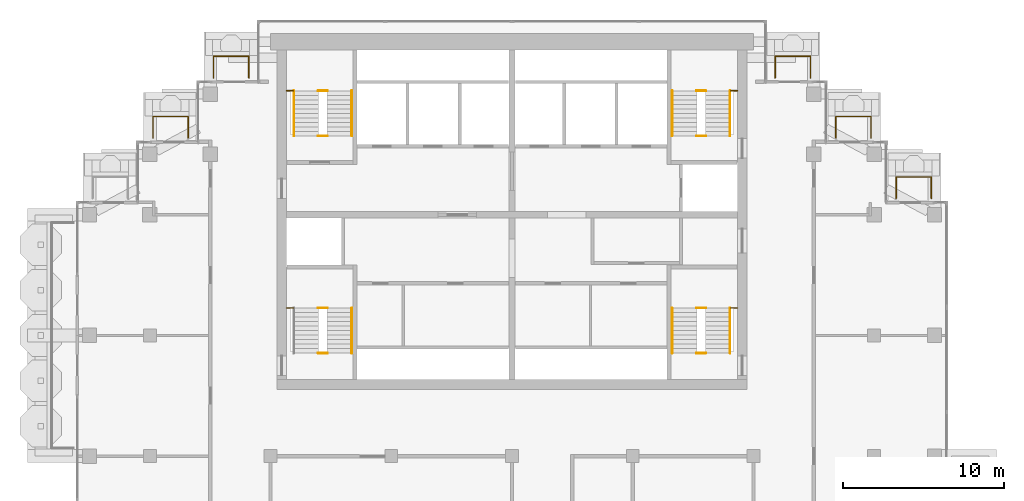
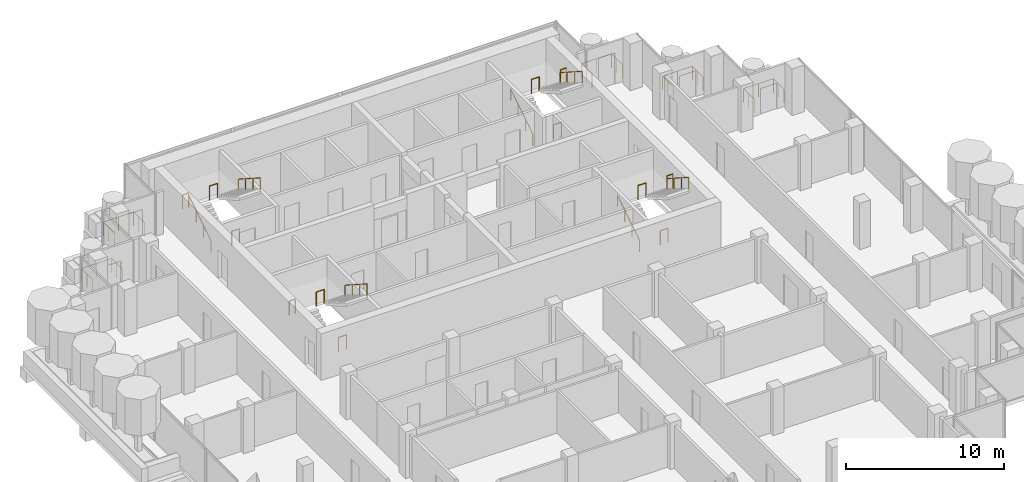
# One storey, part 17 of 18: 24 railings.
"""IFC4 building model written with IfcOpenShell, lengths in metres."""

from ifc_helpers import new_model, si_unit, direction, frame, origin, origin_2d, place, context, subcontext, project, spatial, circle, extrude, material, type_object, element, save


model = new_model("IFC4")

# Units and contexts
model_context = context("Model", 3, precision=1e-05, world=origin(), true_north=direction((0.0, 1.0)))
body_context = subcontext(model_context, "Body", "Model", "MODEL_VIEW")
ifc_project = project(units=[si_unit("LENGTHUNIT", "METRE"), si_unit("AREAUNIT", "SQUARE_METRE"), si_unit("VOLUMEUNIT", "CUBIC_METRE"), si_unit("PLANEANGLEUNIT", "RADIAN"), si_unit("MASSUNIT", "GRAM", prefix="KILO")], contexts=[model_context])

# Site, building, storey
site_placement = place(None, origin())
site = spatial("IfcSite", under=ifc_project, at=site_placement, CompositionType="ELEMENT")
building_placement = place(site_placement, origin())
building = spatial("IfcBuilding", under=site, at=building_placement, Name="Pilkhan Gate Tower", CompositionType="ELEMENT")
storey_placement = place(building_placement, frame((0.0, 0.0, 235.5)))
storey = spatial("IfcBuildingStorey", under=building, at=storey_placement, Name="L61", CompositionType="ELEMENT", Elevation=235.5)

# Railings
ifc_material_1 = material(Name="Pale anodised aluminium posts, laminated glass infill", Category="aluminium")
railing_type_1 = type_object("IfcRailingType", Name="Balcony guard G1", PredefinedType="BALUSTRADE", material=ifc_material_1)
for number, where, name in (
    (1, (56.449951171875, 91.0, 0.0), "Balcony guard L61 N"),
    (2, (91.35009765625, 91.0, 0.0), "Balcony guard L61 N"),
):
    element("IfcRailing", number, at=place(storey_placement, frame(where)), inside=storey, type_object=railing_type_1, Name=name, PredefinedType="BALUSTRADE", context=body_context, shape_type="SweptSolid", body=[
        extrude(circle(Radius=0.02392578125, at=origin_2d()), frame((0.0, 0.0, 1.076171875), z_axis=(0.0, 1.0, 0.0), x_axis=(-1.0, 0.0, 0.0)), (0.0, 0.0, 1.0), 1.35009765625),
        extrude(circle(Radius=0.02392578125, at=origin_2d()), frame((0.0, 1.35009765625, 1.076171875), z_axis=(1.0, 0.0, 0.0), x_axis=(0.0, 1.0, 0.0)), (0.0, 0.0, 1.0), 2.199951171875),
        extrude(circle(Radius=0.02392578125, at=origin_2d()), frame((2.199951171875, 1.35009765625, 1.076171875), z_axis=(0.0, -1.0, 0.0), x_axis=(1.0, 0.0, 0.0)), (0.0, 0.0, 1.0), 1.35009765625),
        extrude(circle(Radius=0.02099609375, at=origin_2d()), origin(), (0.0, 0.0, 1.0), 1.052001953125),
        extrude(circle(Radius=0.02099609375, at=origin_2d()), frame((0.0, 0.675048828125, 0.0)), (0.0, 0.0, 1.0), 1.052001953125),
        extrude(circle(Radius=0.02099609375, at=origin_2d()), frame((0.0, 1.35009765625, 0.0)), (0.0, 0.0, 1.0), 1.052001953125),
        extrude(circle(Radius=0.02099609375, at=origin_2d()), frame((1.10009765625, 1.35009765625, 0.0)), (0.0, 0.0, 1.0), 1.052001953125),
        extrude(circle(Radius=0.02099609375, at=origin_2d()), frame((2.199951171875, 1.35009765625, 0.0)), (0.0, 0.0, 1.0), 1.052001953125),
        extrude(circle(Radius=0.02099609375, at=origin_2d()), frame((2.199951171875, 0.675048828125, 0.0)), (0.0, 0.0, 1.0), 1.052001953125),
        extrude(circle(Radius=0.02099609375, at=origin_2d()), frame((2.199951171875, 0.0, 0.0)), (0.0, 0.0, 1.0), 1.052001953125),
    ])
for number, where, name in (
    (3, (52.699951171875, 87.27001953125, 0.0), "Balcony guard L61 N"),
    (4, (95.1201171875, 87.27001953125, 0.0), "Balcony guard L61 N"),
    (5, (98.8701171875, 83.52001953125, 0.0), "Balcony guard L61 N"),
):
    element("IfcRailing", number, at=place(storey_placement, frame(where)), inside=storey, type_object=railing_type_1, Name=name, PredefinedType="BALUSTRADE", context=body_context, shape_type="SweptSolid", body=[
        extrude(circle(Radius=0.02392578125, at=origin_2d()), frame((0.0, 0.0, 1.076171875), z_axis=(0.0, 1.0, 0.0), x_axis=(-1.0, 0.0, 0.0)), (0.0, 0.0, 1.0), 1.330078125),
        extrude(circle(Radius=0.02392578125, at=origin_2d()), frame((0.0, 1.330078125, 1.076171875), z_axis=(1.0, 0.0, 0.0), x_axis=(0.0, 1.0, 0.0)), (0.0, 0.0, 1.0), 2.179931640625),
        extrude(circle(Radius=0.02392578125, at=origin_2d()), frame((2.179931640625, 1.330078125, 1.076171875), z_axis=(0.0, -1.0, 0.0), x_axis=(1.0, 0.0, 0.0)), (0.0, 0.0, 1.0), 1.330078125),
        extrude(circle(Radius=0.02099609375, at=origin_2d()), origin(), (0.0, 0.0, 1.0), 1.052001953125),
        extrude(circle(Radius=0.02099609375, at=origin_2d()), frame((0.0, 0.6650390625, 0.0)), (0.0, 0.0, 1.0), 1.052001953125),
        extrude(circle(Radius=0.02099609375, at=origin_2d()), frame((0.0, 1.330078125, 0.0)), (0.0, 0.0, 1.0), 1.052001953125),
        extrude(circle(Radius=0.02099609375, at=origin_2d()), frame((1.08984375, 1.330078125, 0.0)), (0.0, 0.0, 1.0), 1.052001953125),
        extrude(circle(Radius=0.02099609375, at=origin_2d()), frame((2.179931640625, 1.330078125, 0.0)), (0.0, 0.0, 1.0), 1.052001953125),
        extrude(circle(Radius=0.02099609375, at=origin_2d()), frame((2.179931640625, 0.6650390625, 0.0)), (0.0, 0.0, 1.0), 1.052001953125),
        extrude(circle(Radius=0.02099609375, at=origin_2d()), frame((2.179931640625, 0.0, 0.0)), (0.0, 0.0, 1.0), 1.052001953125),
    ])
ifc_material_2 = material(Name="Black powder-coated steel tube", Category="steel")
railing_type_2 = type_object("IfcRailingType", Name="Stair handrail HR1", PredefinedType="HANDRAIL", material=ifc_material_2)
railing_1_placement = place(storey_placement, frame((84.949951171875, 73.89990234375, 0.0)))
element("IfcRailing", 6, at=railing_1_placement, inside=storey, type_object=railing_type_2, Name="Stair ST1 handrail L61", PredefinedType="HANDRAIL", context=body_context, shape_type="SweptSolid", body=[
    extrude(circle(Radius=0.02392578125, at=origin_2d()), frame((0.0, 0.0, 0.8759765625), z_axis=(0.0, 0.841176092368, 0.540761298198), x_axis=(-1.0, 0.0, 0.0)), (0.0, 0.0, 1.0), 3.32861328125),
    extrude(circle(Radius=0.02099609375, at=origin_2d()), origin(), (0.0, 0.0, 1.0), 0.851806640625),
    extrude(circle(Radius=0.02099609375, at=origin_2d()), frame((0.0, 0.933349609375, 0.60009765625)), (0.0, 0.0, 1.0), 0.851806640625),
    extrude(circle(Radius=0.02099609375, at=origin_2d()), frame((0.0, 1.86669921875, 1.199951171875)), (0.0, 0.0, 1.0), 0.851806640625),
    extrude(circle(Radius=0.02099609375, at=origin_2d()), frame((0.0, 2.800048828125, 1.800048828125)), (0.0, 0.0, 1.0), 0.851806640625),
])
for number, where, name in (
    (7, (88.550048828125, 76.699951171875, 1.800048828125), "Stair ST1 handrail L61"),
    (8, (65.050048828125, 76.699951171875, 1.800048828125), "Stair ST2 handrail L61"),
):
    element("IfcRailing", number, at=place(storey_placement, frame(where)), inside=storey, type_object=railing_type_2, Name=name, PredefinedType="HANDRAIL", context=body_context, shape_type="SweptSolid", body=[
        extrude(circle(Radius=0.02392578125, at=origin_2d()), frame((0.0, 0.0, 0.8759765625), z_axis=(0.0, -0.841176092368, 0.540761298198), x_axis=(1.0, 0.0, 0.0)), (0.0, 0.0, 1.0), 3.32861328125),
        extrude(circle(Radius=0.02099609375, at=origin_2d()), origin(), (0.0, 0.0, 1.0), 0.851806640625),
        extrude(circle(Radius=0.02099609375, at=origin_2d()), frame((0.0, -0.933349609375, 0.60009765625)), (0.0, 0.0, 1.0), 0.851806640625),
        extrude(circle(Radius=0.02099609375, at=origin_2d()), frame((0.0, -1.86669921875, 1.199951171875)), (0.0, 0.0, 1.0), 0.851806640625),
        extrude(circle(Radius=0.02099609375, at=origin_2d()), frame((0.0, -2.800048828125, 1.800048828125)), (0.0, 0.0, 1.0), 0.851806640625),
    ])
railing_2_placement = place(storey_placement, frame((61.449951171875, 87.39990234375, 0.0)))
element("IfcRailing", 9, at=railing_2_placement, inside=storey, type_object=railing_type_2, Name="Stair ST3 handrail L61", PredefinedType="HANDRAIL", context=body_context, shape_type="SweptSolid", body=[
    extrude(circle(Radius=0.02392578125, at=origin_2d()), frame((0.0, 0.0, 0.8759765625), z_axis=(0.0, 0.841176092368, 0.540761298198), x_axis=(-1.0, 0.0, 0.0)), (0.0, 0.0, 1.0), 3.32861328125),
    extrude(circle(Radius=0.02099609375, at=origin_2d()), origin(), (0.0, 0.0, 1.0), 0.851806640625),
    extrude(circle(Radius=0.02099609375, at=origin_2d()), frame((0.0, 0.933349609375, 0.60009765625)), (0.0, 0.0, 1.0), 0.851806640625),
    extrude(circle(Radius=0.02099609375, at=origin_2d()), frame((0.0, 1.86669921875, 1.199951171875)), (0.0, 0.0, 1.0), 0.851806640625),
    extrude(circle(Radius=0.02099609375, at=origin_2d()), frame((0.0, 2.800048828125, 1.800048828125)), (0.0, 0.0, 1.0), 0.851806640625),
])
railing_3_placement = place(storey_placement, frame((65.050048828125, 90.199951171875, 1.800048828125)))
element("IfcRailing", 10, at=railing_3_placement, inside=storey, type_object=railing_type_2, Name="Stair ST3 handrail L61", PredefinedType="HANDRAIL", context=body_context, shape_type="SweptSolid", body=[
    extrude(circle(Radius=0.02392578125, at=origin_2d()), frame((0.0, 0.0, 0.8759765625), z_axis=(0.0, -0.841176092368, 0.540761298198), x_axis=(1.0, 0.0, 0.0)), (0.0, 0.0, 1.0), 3.32861328125),
    extrude(circle(Radius=0.02099609375, at=origin_2d()), origin(), (0.0, 0.0, 1.0), 0.851806640625),
    extrude(circle(Radius=0.02099609375, at=origin_2d()), frame((0.0, -0.933349609375, 0.60009765625)), (0.0, 0.0, 1.0), 0.851806640625),
    extrude(circle(Radius=0.02099609375, at=origin_2d()), frame((0.0, -1.86669921875, 1.199951171875)), (0.0, 0.0, 1.0), 0.851806640625),
    extrude(circle(Radius=0.02099609375, at=origin_2d()), frame((0.0, -2.800048828125, 1.800048828125)), (0.0, 0.0, 1.0), 0.851806640625),
])
railing_4_placement = place(storey_placement, frame((84.949951171875, 87.39990234375, 0.0)))
element("IfcRailing", 11, at=railing_4_placement, inside=storey, type_object=railing_type_2, Name="Stair ST4 handrail L61", PredefinedType="HANDRAIL", context=body_context, shape_type="SweptSolid", body=[
    extrude(circle(Radius=0.02392578125, at=origin_2d()), frame((0.0, 0.0, 0.8759765625), z_axis=(0.0, 0.841176092368, 0.540761298198), x_axis=(-1.0, 0.0, 0.0)), (0.0, 0.0, 1.0), 3.32861328125),
    extrude(circle(Radius=0.02099609375, at=origin_2d()), origin(), (0.0, 0.0, 1.0), 0.851806640625),
    extrude(circle(Radius=0.02099609375, at=origin_2d()), frame((0.0, 0.933349609375, 0.60009765625)), (0.0, 0.0, 1.0), 0.851806640625),
    extrude(circle(Radius=0.02099609375, at=origin_2d()), frame((0.0, 1.86669921875, 1.199951171875)), (0.0, 0.0, 1.0), 0.851806640625),
    extrude(circle(Radius=0.02099609375, at=origin_2d()), frame((0.0, 2.800048828125, 1.800048828125)), (0.0, 0.0, 1.0), 0.851806640625),
])
railing_5_placement = place(storey_placement, frame((88.550048828125, 90.199951171875, 1.800048828125)))
element("IfcRailing", 12, at=railing_5_placement, inside=storey, type_object=railing_type_2, Name="Stair ST4 handrail L61", PredefinedType="HANDRAIL", context=body_context, shape_type="SweptSolid", body=[
    extrude(circle(Radius=0.02392578125, at=origin_2d()), frame((0.0, 0.0, 0.8759765625), z_axis=(0.0, -0.841176092368, 0.540761298198), x_axis=(1.0, 0.0, 0.0)), (0.0, 0.0, 1.0), 3.32861328125),
    extrude(circle(Radius=0.02099609375, at=origin_2d()), origin(), (0.0, 0.0, 1.0), 0.851806640625),
    extrude(circle(Radius=0.02099609375, at=origin_2d()), frame((0.0, -0.933349609375, 0.60009765625)), (0.0, 0.0, 1.0), 0.851806640625),
    extrude(circle(Radius=0.02099609375, at=origin_2d()), frame((0.0, -1.86669921875, 1.199951171875)), (0.0, 0.0, 1.0), 0.851806640625),
    extrude(circle(Radius=0.02099609375, at=origin_2d()), frame((0.0, -2.800048828125, 1.800048828125)), (0.0, 0.0, 1.0), 0.851806640625),
])
ifc_material_3 = material(Name="Black powder-coated steel balusters", Category="steel")
railing_type_3 = type_object("IfcRailingType", Name="Stair well guard G3", PredefinedType="GUARDRAIL", material=ifc_material_3)
railing_6_placement = place(storey_placement, frame((88.580078125, 76.699951171875, 1.800048828125)))
element("IfcRailing", 13, at=railing_6_placement, inside=storey, type_object=railing_type_3, Name="Stair ST1 well guard L61", PredefinedType="GUARDRAIL", context=body_context, shape_type="SweptSolid", body=[
    extrude(circle(Radius=0.02392578125, at=origin_2d()), frame((0.0, 0.0, 1.076171875), z_axis=(1.0, 0.0, 0.0), x_axis=(0.0, 1.0, 0.0)), (0.0, 0.0, 1.0), 0.43994140625),
    extrude(circle(Radius=0.02099609375, at=origin_2d()), origin(), (0.0, 0.0, 1.0), 1.052001953125),
    extrude(circle(Radius=0.02099609375, at=origin_2d()), frame((0.43994140625, 0.0, 0.0)), (0.0, 0.0, 1.0), 1.052001953125),
])
for number, where, name in (
    (14, (86.4599609375, 73.89990234375, 0.0), "Stair ST1 well guard L61"),
    (15, (86.4599609375, 76.699951171875, 1.800048828125), "Stair ST1 well guard L61"),
):
    element("IfcRailing", number, at=place(storey_placement, frame(where)), inside=storey, type_object=railing_type_3, Name=name, PredefinedType="GUARDRAIL", context=body_context, shape_type="SweptSolid", body=[
        extrude(circle(Radius=0.02392578125, at=origin_2d()), frame((0.0, 0.0, 1.076171875), z_axis=(1.0, 0.0, 0.0), x_axis=(0.0, 1.0, 0.0)), (0.0, 0.0, 1.0), 0.580078125),
        extrude(circle(Radius=0.02099609375, at=origin_2d()), origin(), (0.0, 0.0, 1.0), 1.052001953125),
        extrude(circle(Radius=0.02099609375, at=origin_2d()), frame((0.580078125, 0.0, 0.0)), (0.0, 0.0, 1.0), 1.052001953125),
    ])
railing_7_placement = place(storey_placement, frame((60.97998046875, 76.699951171875, 1.800048828125)))
element("IfcRailing", 16, at=railing_7_placement, inside=storey, type_object=railing_type_3, Name="Stair ST2 well guard L61", PredefinedType="GUARDRAIL", context=body_context, shape_type="SweptSolid", body=[
    extrude(circle(Radius=0.02392578125, at=origin_2d()), frame((0.0, 0.0, 1.076171875), z_axis=(1.0, 0.0, 0.0), x_axis=(0.0, 1.0, 0.0)), (0.0, 0.0, 1.0), 0.43994140625),
    extrude(circle(Radius=0.02099609375, at=origin_2d()), origin(), (0.0, 0.0, 1.0), 1.052001953125),
    extrude(circle(Radius=0.02099609375, at=origin_2d()), frame((0.43994140625, 0.0, 0.0)), (0.0, 0.0, 1.0), 1.052001953125),
])
for number, where, name in (
    (17, (62.9599609375, 73.89990234375, 0.0), "Stair ST2 well guard L61"),
    (18, (62.9599609375, 76.699951171875, 1.800048828125), "Stair ST2 well guard L61"),
):
    element("IfcRailing", number, at=place(storey_placement, frame(where)), inside=storey, type_object=railing_type_3, Name=name, PredefinedType="GUARDRAIL", context=body_context, shape_type="SweptSolid", body=[
        extrude(circle(Radius=0.02392578125, at=origin_2d()), frame((0.0, 0.0, 1.076171875), z_axis=(1.0, 0.0, 0.0), x_axis=(0.0, 1.0, 0.0)), (0.0, 0.0, 1.0), 0.580078125),
        extrude(circle(Radius=0.02099609375, at=origin_2d()), origin(), (0.0, 0.0, 1.0), 1.052001953125),
        extrude(circle(Radius=0.02099609375, at=origin_2d()), frame((0.580078125, 0.0, 0.0)), (0.0, 0.0, 1.0), 1.052001953125),
    ])
railing_8_placement = place(storey_placement, frame((60.97998046875, 90.199951171875, 1.800048828125)))
element("IfcRailing", 19, at=railing_8_placement, inside=storey, type_object=railing_type_3, Name="Stair ST3 well guard L61", PredefinedType="GUARDRAIL", context=body_context, shape_type="SweptSolid", body=[
    extrude(circle(Radius=0.02392578125, at=origin_2d()), frame((0.0, 0.0, 1.076171875), z_axis=(1.0, 0.0, 0.0), x_axis=(0.0, 1.0, 0.0)), (0.0, 0.0, 1.0), 0.43994140625),
    extrude(circle(Radius=0.02099609375, at=origin_2d()), origin(), (0.0, 0.0, 1.0), 1.052001953125),
    extrude(circle(Radius=0.02099609375, at=origin_2d()), frame((0.43994140625, 0.0, 0.0)), (0.0, 0.0, 1.0), 1.052001953125),
])
for number, where, name in (
    (20, (62.9599609375, 87.39990234375, 0.0), "Stair ST3 well guard L61"),
    (21, (62.9599609375, 90.199951171875, 1.800048828125), "Stair ST3 well guard L61"),
):
    element("IfcRailing", number, at=place(storey_placement, frame(where)), inside=storey, type_object=railing_type_3, Name=name, PredefinedType="GUARDRAIL", context=body_context, shape_type="SweptSolid", body=[
        extrude(circle(Radius=0.02392578125, at=origin_2d()), frame((0.0, 0.0, 1.076171875), z_axis=(1.0, 0.0, 0.0), x_axis=(0.0, 1.0, 0.0)), (0.0, 0.0, 1.0), 0.580078125),
        extrude(circle(Radius=0.02099609375, at=origin_2d()), origin(), (0.0, 0.0, 1.0), 1.052001953125),
        extrude(circle(Radius=0.02099609375, at=origin_2d()), frame((0.580078125, 0.0, 0.0)), (0.0, 0.0, 1.0), 1.052001953125),
    ])
railing_9_placement = place(storey_placement, frame((88.580078125, 90.199951171875, 1.800048828125)))
element("IfcRailing", 22, at=railing_9_placement, inside=storey, type_object=railing_type_3, Name="Stair ST4 well guard L61", PredefinedType="GUARDRAIL", context=body_context, shape_type="SweptSolid", body=[
    extrude(circle(Radius=0.02392578125, at=origin_2d()), frame((0.0, 0.0, 1.076171875), z_axis=(1.0, 0.0, 0.0), x_axis=(0.0, 1.0, 0.0)), (0.0, 0.0, 1.0), 0.43994140625),
    extrude(circle(Radius=0.02099609375, at=origin_2d()), origin(), (0.0, 0.0, 1.0), 1.052001953125),
    extrude(circle(Radius=0.02099609375, at=origin_2d()), frame((0.43994140625, 0.0, 0.0)), (0.0, 0.0, 1.0), 1.052001953125),
])
for number, where, name in (
    (23, (86.4599609375, 87.39990234375, 0.0), "Stair ST4 well guard L61"),
    (24, (86.4599609375, 90.199951171875, 1.800048828125), "Stair ST4 well guard L61"),
):
    element("IfcRailing", number, at=place(storey_placement, frame(where)), inside=storey, type_object=railing_type_3, Name=name, PredefinedType="GUARDRAIL", context=body_context, shape_type="SweptSolid", body=[
        extrude(circle(Radius=0.02392578125, at=origin_2d()), frame((0.0, 0.0, 1.076171875), z_axis=(1.0, 0.0, 0.0), x_axis=(0.0, 1.0, 0.0)), (0.0, 0.0, 1.0), 0.580078125),
        extrude(circle(Radius=0.02099609375, at=origin_2d()), origin(), (0.0, 0.0, 1.0), 1.052001953125),
        extrude(circle(Radius=0.02099609375, at=origin_2d()), frame((0.580078125, 0.0, 0.0)), (0.0, 0.0, 1.0), 1.052001953125),
    ])

save(model, "model.ifc")
